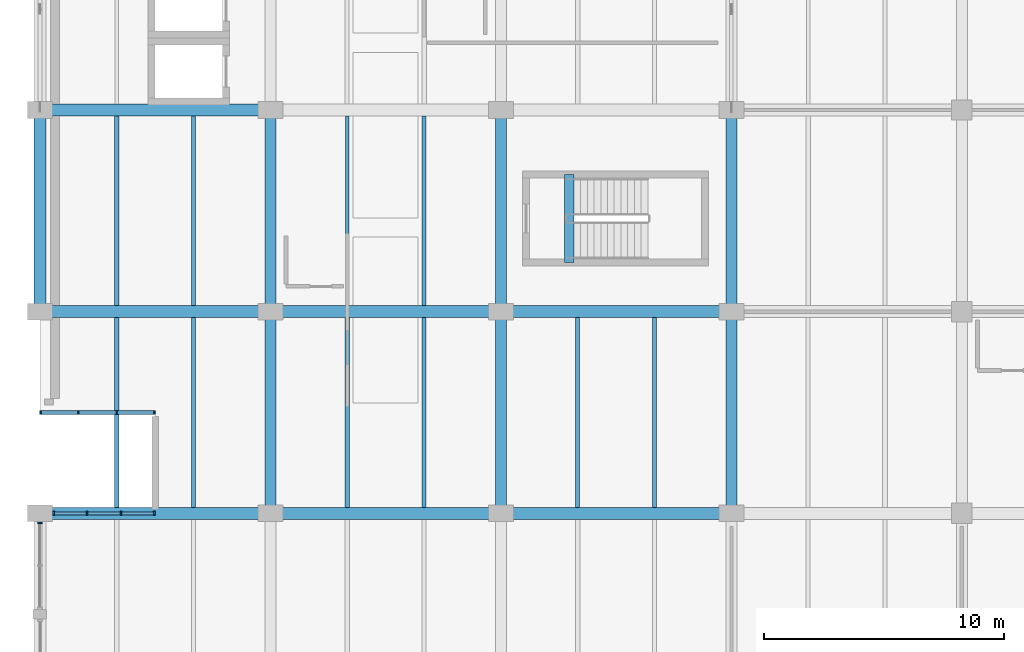
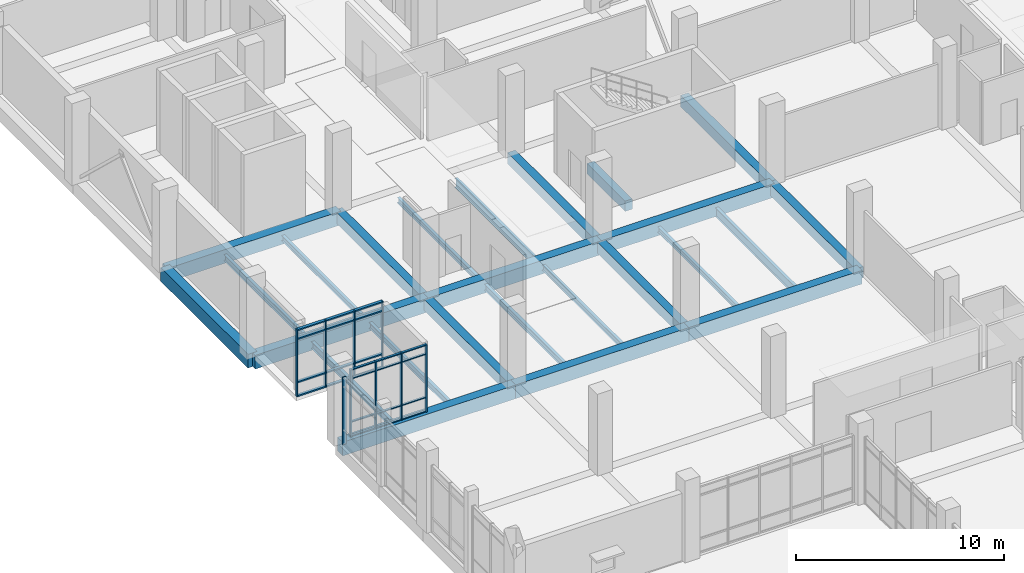
# One storey, part 14 of 152: 33 members, 25 beams, 3 elements without a shape of their own.
"""IFC4 building model written with IfcOpenShell, lengths in metres."""

from ifc_helpers import new_model, si_unit, direction, frame, origin, origin_2d, place, context, subcontext, project, spatial, rectangle, i_section, extrude, material, material_profile, profile_set, type_object, element, aggregate, save


model = new_model("IFC4")

# Units and contexts
model_context = context("Model", 3, precision=1e-05, world=origin(), true_north=direction((0.0, 1.0)))
body_context = subcontext(model_context, "Body", "Model", "MODEL_VIEW")
ifc_project = project(units=[si_unit("LENGTHUNIT", "METRE"), si_unit("AREAUNIT", "SQUARE_METRE"), si_unit("VOLUMEUNIT", "CUBIC_METRE"), si_unit("PLANEANGLEUNIT", "RADIAN"), si_unit("MASSUNIT", "GRAM", prefix="KILO")], contexts=[model_context])

# Site, building, storey
site_placement = place(None, origin())
site = spatial("IfcSite", under=ifc_project, at=site_placement, CompositionType="ELEMENT")
building_placement = place(site_placement, origin())
building = spatial("IfcBuilding", under=site, at=building_placement, Name="Oolite Switchyard Hospital", CompositionType="ELEMENT")
storey_placement = place(building_placement, frame((0.0, 0.0, 5.10009765625)))
storey = spatial("IfcBuildingStorey", under=building, at=storey_placement, Name="L01", CompositionType="ELEMENT", Elevation=5.10009765625)

# Beams
ifc_material_1 = material(Name="Concrete C40/50", Category="concrete")
ifc_material_profile_1 = material_profile(ifc_material_1, rectangle(XDim=0.39990234375, YDim=0.60009765625, at=origin_2d()), Name="RCB400X600")
ifc_profile_set_1 = profile_set([ifc_material_profile_1], Name="Concrete C40/50")
beam_type_1 = type_object("IfcBeamType", Name="BM-RC400X600", PredefinedType="BEAM", material=ifc_profile_set_1)
beam_1_placement = place(storey_placement, frame((22.0400390625, 44.050048828125, -0.300048828125), z_axis=(0.0, 1.0, 0.0), x_axis=(-1.0, 0.0, 0.0)))
element("IfcBeam", 1, at=beam_1_placement, inside=storey, type_object=beam_type_1, Name="L01 ST-01 Stair Throat Trimmer Beam", PredefinedType="BEAM", context=body_context, shape_type="SweptSolid", body=[
    extrude(rectangle(XDim=0.39990234375, YDim=0.60009765625, at=origin_2d()), origin(), (0.0, 0.0, 1.0), 3.659912109375),
])
ifc_material_profile_2 = material_profile(ifc_material_1, rectangle(XDim=0.449951171875, YDim=0.64990234375, at=origin_2d()), Name="RCB450X650")
ifc_profile_set_2 = profile_set([ifc_material_profile_2], Name="Concrete C40/50")
beam_type_2 = type_object("IfcBeamType", Name="BM-RC450X650", PredefinedType="BEAM", material=ifc_profile_set_2)
for number, where, z_axis, x_axis, name in (
    (2, (9.60009765625, 33.60009765625, -0.3251953125), (0.0, 1.0, 0.0), (-1.0, 0.0, 0.0), "L01 Y-Girder 306"),
    (3, (9.60009765625, 42.0, -0.3251953125), (0.0, 1.0, 0.0), (-1.0, 0.0, 0.0), "L01 Y-Girder 307"),
    (4, (19.199951171875, 33.60009765625, -0.3251953125), (0.0, 1.0, 0.0), (-1.0, 0.0, 0.0), "L01 Y-Girder 322"),
    (5, (19.199951171875, 42.0, -0.3251953125), (0.0, 1.0, 0.0), (-1.0, 0.0, 0.0), "L01 Y-Girder 323"),
    (6, (28.800048828125, 33.60009765625, -0.3251953125), (0.0, 1.0, 0.0), (-1.0, 0.0, 0.0), "L01 Y-Girder 338"),
    (7, (28.800048828125, 42.0, -0.3251953125), (0.0, 1.0, 0.0), (-1.0, 0.0, 0.0), "L01 Y-Girder 339"),
):
    element("IfcBeam", number, at=place(storey_placement, frame(where, z_axis=z_axis, x_axis=x_axis)), inside=storey, type_object=beam_type_2, Name=name, PredefinedType="BEAM", context=body_context, shape_type="SweptSolid", body=[
        extrude(rectangle(XDim=0.449951171875, YDim=0.64990234375, at=origin_2d()), origin(), (0.0, 0.0, 1.0), 8.39990234375),
    ])
ifc_material_profile_3 = material_profile(ifc_material_1, rectangle(XDim=0.5, YDim=0.800048828125, at=origin_2d()), Name="RCB500X800")
ifc_profile_set_3 = profile_set([ifc_material_profile_3], Name="Concrete C40/50")
beam_type_3 = type_object("IfcBeamType", Name="BM-RC500X800", PredefinedType="BEAM", material=ifc_profile_set_3)
beam_2_placement = place(storey_placement, frame((0.0, 33.60009765625, -0.400146484375), z_axis=(1.0, 0.0, 0.0), x_axis=(0.0, 1.0, 0.0)))
element("IfcBeam", 8, at=beam_2_placement, inside=storey, type_object=beam_type_3, Name="L01 X-Girder 62", PredefinedType="BEAM", context=body_context, shape_type="SweptSolid", body=[
    extrude(rectangle(XDim=0.5, YDim=0.800048828125, at=origin_2d()), origin(), (0.0, 0.0, 1.0), 9.60009765625),
])
beam_3_placement = place(storey_placement, frame((9.60009765625, 33.60009765625, -0.400146484375), z_axis=(1.0, 0.0, 0.0), x_axis=(0.0, 1.0, 0.0)))
element("IfcBeam", 9, at=beam_3_placement, inside=storey, type_object=beam_type_3, Name="L01 X-Girder 63", PredefinedType="BEAM", context=body_context, shape_type="SweptSolid", body=[
    extrude(rectangle(XDim=0.5, YDim=0.800048828125, at=origin_2d()), origin(), (0.0, 0.0, 1.0), 9.599853515625),
])
for number, where, z_axis, x_axis, name in (
    (10, (19.199951171875, 33.60009765625, -0.400146484375), (1.0, 0.0, 0.0), (0.0, 1.0, 0.0), "L01 X-Girder 64"),
    (11, (0.0, 42.0, -0.400146484375), (1.0, 0.0, 0.0), (0.0, 1.0, 0.0), "L01 X-Girder 84"),
):
    element("IfcBeam", number, at=place(storey_placement, frame(where, z_axis=z_axis, x_axis=x_axis)), inside=storey, type_object=beam_type_3, Name=name, PredefinedType="BEAM", context=body_context, shape_type="SweptSolid", body=[
        extrude(rectangle(XDim=0.5, YDim=0.800048828125, at=origin_2d()), origin(), (0.0, 0.0, 1.0), 9.60009765625),
    ])
beam_4_placement = place(storey_placement, frame((9.60009765625, 42.0, -0.400146484375), z_axis=(1.0, 0.0, 0.0), x_axis=(0.0, 1.0, 0.0)))
element("IfcBeam", 12, at=beam_4_placement, inside=storey, type_object=beam_type_3, Name="L01 X-Girder 85", PredefinedType="BEAM", context=body_context, shape_type="SweptSolid", body=[
    extrude(rectangle(XDim=0.5, YDim=0.800048828125, at=origin_2d()), origin(), (0.0, 0.0, 1.0), 9.599853515625),
])
for number, where, z_axis, x_axis, name in (
    (13, (19.199951171875, 42.0, -0.400146484375), (1.0, 0.0, 0.0), (0.0, 1.0, 0.0), "L01 X-Girder 86"),
    (14, (0.0, 50.39990234375, -0.400146484375), (1.0, 0.0, 0.0), (0.0, 1.0, 0.0), "L01 X-Girder 96"),
):
    element("IfcBeam", number, at=place(storey_placement, frame(where, z_axis=z_axis, x_axis=x_axis)), inside=storey, type_object=beam_type_3, Name=name, PredefinedType="BEAM", context=body_context, shape_type="SweptSolid", body=[
        extrude(rectangle(XDim=0.5, YDim=0.800048828125, at=origin_2d()), origin(), (0.0, 0.0, 1.0), 9.60009765625),
    ])
beam_5_placement = place(storey_placement, frame((0.0, 42.0, -0.400146484375), z_axis=(0.0, 1.0, 0.0), x_axis=(-1.0, 0.0, 0.0)))
element("IfcBeam", 15, at=beam_5_placement, inside=storey, type_object=beam_type_3, Name="L01 Y-Girder 292", PredefinedType="BEAM", context=body_context, shape_type="SweptSolid", body=[
    extrude(rectangle(XDim=0.5, YDim=0.800048828125, at=origin_2d()), origin(), (0.0, 0.0, 1.0), 8.39990234375),
])
ifc_material_2 = material(Name="Steel ASTM A992 Grade 50", Category="steel")
ifc_material_profile_4 = material_profile(ifc_material_2, i_section(OverallWidth=0.1650390625, OverallDepth=0.31005859375, WebThickness=0.006103515625, FlangeThickness=0.010009765625, at=origin_2d()), Name="W12X26")
ifc_profile_set_4 = profile_set([ifc_material_profile_4], Name="Steel ASTM A992 Grade 50")
beam_type_4 = type_object("IfcBeamType", Name="BM-W12X26", PredefinedType="JOIST", material=ifc_profile_set_4)
for number, where, z_axis, x_axis, name in (
    (16, (6.39990234375, 42.25, -0.43017578125), (0.0, 1.0, 0.0), (-1.0, 0.0, 0.0), "L01 Secondary Steel Joist 573"),
    (17, (16.0, 33.85009765625, -0.43017578125), (0.0, 1.0, 0.0), (-1.0, 0.0, 0.0), "L01 Secondary Steel Joist 599"),
    (18, (12.800048828125, 42.25, -0.43017578125), (0.0, 1.0, 0.0), (-1.0, 0.0, 0.0), "L01 Secondary Steel Joist 600"),
    (19, (22.39990234375, 33.85009765625, -0.43017578125), (0.0, 1.0, 0.0), (-1.0, 0.0, 0.0), "L01 Secondary Steel Joist 630"),
):
    element("IfcBeam", number, at=place(storey_placement, frame(where, z_axis=z_axis, x_axis=x_axis)), inside=storey, type_object=beam_type_4, Name=name, PredefinedType="JOIST", context=body_context, shape_type="SweptSolid", body=[
        extrude(i_section(OverallWidth=0.1650390625, OverallDepth=0.31005859375, WebThickness=0.006103515625, FlangeThickness=0.010009765625, at=origin_2d()), origin(), (0.0, 0.0, 1.0), 7.89990234375),
    ])
ifc_material_profile_5 = material_profile(ifc_material_2, i_section(OverallWidth=0.1708984375, OverallDepth=0.35107421875, WebThickness=0.007080078125, FlangeThickness=0.010009765625, at=origin_2d()), Name="W14X30")
ifc_profile_set_5 = profile_set([ifc_material_profile_5], Name="Steel ASTM A992 Grade 50")
beam_type_5 = type_object("IfcBeamType", Name="BM-W14X30", PredefinedType="JOIST", material=ifc_profile_set_5)
for number, where, z_axis, x_axis, name in (
    (20, (6.39990234375, 33.85009765625, -0.4501953125), (0.0, 1.0, 0.0), (-1.0, 0.0, 0.0), "L01 Secondary Steel Joist 571"),
    (21, (3.199951171875, 42.25, -0.4501953125), (0.0, 1.0, 0.0), (-1.0, 0.0, 0.0), "L01 Secondary Steel Joist 572"),
    (22, (12.800048828125, 33.85009765625, -0.4501953125), (0.0, 1.0, 0.0), (-1.0, 0.0, 0.0), "L01 Secondary Steel Joist 598"),
):
    element("IfcBeam", number, at=place(storey_placement, frame(where, z_axis=z_axis, x_axis=x_axis)), inside=storey, type_object=beam_type_5, Name=name, PredefinedType="JOIST", context=body_context, shape_type="SweptSolid", body=[
        extrude(i_section(OverallWidth=0.1708984375, OverallDepth=0.35107421875, WebThickness=0.007080078125, FlangeThickness=0.010009765625, at=origin_2d()), origin(), (0.0, 0.0, 1.0), 7.89990234375),
    ])
ifc_material_profile_6 = material_profile(ifc_material_2, i_section(OverallWidth=0.177978515625, OverallDepth=0.403076171875, WebThickness=0.008056640625, FlangeThickness=0.010986328125, at=origin_2d()), Name="W16X36")
ifc_profile_set_6 = profile_set([ifc_material_profile_6], Name="Steel ASTM A992 Grade 50")
beam_type_6 = type_object("IfcBeamType", Name="BM-W16X36", PredefinedType="JOIST", material=ifc_profile_set_6)
beam_6_placement = place(storey_placement, frame((3.199951171875, 33.85009765625, -0.47705078125), z_axis=(0.0, 1.0, 0.0), x_axis=(-1.0, 0.0, 0.0)))
element("IfcBeam", 23, at=beam_6_placement, inside=storey, type_object=beam_type_6, Name="L01 Secondary Steel Joist 570", PredefinedType="JOIST", context=body_context, shape_type="SweptSolid", body=[
    extrude(i_section(OverallWidth=0.177978515625, OverallDepth=0.403076171875, WebThickness=0.008056640625, FlangeThickness=0.010986328125, at=origin_2d()), origin(), (0.0, 0.0, 1.0), 7.89990234375),
])
ifc_material_profile_7 = material_profile(ifc_material_2, i_section(OverallWidth=0.166015625, OverallDepth=0.529052734375, WebThickness=0.010009765625, FlangeThickness=0.013916015625, at=origin_2d()), Name="W21X50")
ifc_profile_set_7 = profile_set([ifc_material_profile_7], Name="Steel ASTM A992 Grade 50")
beam_type_7 = type_object("IfcBeamType", Name="BM-W21X50", PredefinedType="JOIST", material=ifc_profile_set_7)
for number, where, z_axis, x_axis, name in (
    (24, (16.0, 42.25, -0.5400390625), (0.0, 1.0, 0.0), (-1.0, 0.0, 0.0), "L01 Secondary Steel Joist 601"),
    (25, (25.60009765625, 33.85009765625, -0.5400390625), (0.0, 1.0, 0.0), (-1.0, 0.0, 0.0), "L01 Secondary Steel Joist 631"),
):
    element("IfcBeam", number, at=place(storey_placement, frame(where, z_axis=z_axis, x_axis=x_axis)), inside=storey, type_object=beam_type_7, Name=name, PredefinedType="JOIST", context=body_context, shape_type="SweptSolid", body=[
        extrude(i_section(OverallWidth=0.166015625, OverallDepth=0.529052734375, WebThickness=0.010009765625, FlangeThickness=0.013916015625, at=origin_2d()), origin(), (0.0, 0.0, 1.0), 7.89990234375),
    ])

# Curtain wall, members
ifc_material_3 = material(Name="Thermally broken aluminum frame with laminated impact glazing", Category="aluminium")
curtain_wall_type = type_object("IfcCurtainWallType", Name="CW-UNIT-84X48", PredefinedType="USERDEFINED", material=ifc_material_3)
curtain_wall_1_placement = place(storey_placement, origin())
curtain_wall_1 = element("IfcCurtainWall", 26, at=curtain_wall_1_placement, inside=storey, type_object=curtain_wall_type, Name="L01 Unitised Curtain Wall 119", ObjectType="UNITISED", PredefinedType="USERDEFINED")
ifc_material_4 = material(Name="Aluminium 6063-T6", Category="aluminium")
ifc_material_profile_8 = material_profile(ifc_material_4, rectangle(XDim=0.159912109375, YDim=0.06005859375, at=origin_2d()), Name="CWM60X160")
ifc_profile_set_8 = profile_set([ifc_material_profile_8], Name="Aluminium 6063-T6")
member_type_1 = type_object("IfcMemberType", Name="CW-MUL-180", PredefinedType="MULLION", material=ifc_profile_set_8)
member_1_placement = place(storey_placement, frame((4.77001953125, 37.800048828125, 0.0), z_axis=(0.0, 0.0, 1.0), x_axis=(0.0, -1.0, 0.0)))
member_1 = element("IfcMember", 27, at=member_1_placement, type_object=member_type_1, Name="CW-07 mullion 1", PredefinedType="MULLION", context=body_context, shape_type="SweptSolid", body=[
    extrude(rectangle(XDim=0.159912109375, YDim=0.06005859375, at=origin_2d()), origin(), (0.0, 0.0, 1.0), 3.93994140625),
])
member_2_placement = place(storey_placement, frame((3.199951171875, 37.800048828125, 0.0), z_axis=(0.0, 0.0, 1.0), x_axis=(0.0, -1.0, 0.0)))
member_2 = element("IfcMember", 28, at=member_2_placement, type_object=member_type_1, Name="CW-07 mullion 2", PredefinedType="MULLION", context=body_context, shape_type="SweptSolid", body=[
    extrude(rectangle(XDim=0.159912109375, YDim=0.06005859375, at=origin_2d()), origin(), (0.0, 0.0, 1.0), 3.93994140625),
])
member_3_placement = place(storey_placement, frame((1.60009765625, 37.800048828125, 0.0), z_axis=(0.0, 0.0, 1.0), x_axis=(0.0, -1.0, 0.0)))
member_3 = element("IfcMember", 29, at=member_3_placement, type_object=member_type_1, Name="CW-07 mullion 3", PredefinedType="MULLION", context=body_context, shape_type="SweptSolid", body=[
    extrude(rectangle(XDim=0.159912109375, YDim=0.06005859375, at=origin_2d()), origin(), (0.0, 0.0, 1.0), 3.93994140625),
])
member_4_placement = place(storey_placement, frame((0.030029296875, 37.800048828125, 0.0), z_axis=(0.0, 0.0, 1.0), x_axis=(0.0, -1.0, 0.0)))
member_4 = element("IfcMember", 30, at=member_4_placement, type_object=member_type_1, Name="CW-07 mullion 4", PredefinedType="MULLION", context=body_context, shape_type="SweptSolid", body=[
    extrude(rectangle(XDim=0.159912109375, YDim=0.06005859375, at=origin_2d()), origin(), (0.0, 0.0, 1.0), 3.93994140625),
])

curtain_wall_2_placement = place(storey_placement, origin())
curtain_wall_2 = element("IfcCurtainWall", 31, at=curtain_wall_2_placement, inside=storey, type_object=curtain_wall_type, Name="L01 Unitised Curtain Wall 108", ObjectType="UNITISED", PredefinedType="USERDEFINED")
ifc_material_profile_9 = material_profile(ifc_material_4, rectangle(XDim=0.179931640625, YDim=0.070068359375, at=origin_2d()), Name="CWM70X180")
ifc_profile_set_9 = profile_set([ifc_material_profile_9], Name="Aluminium 6063-T6")
member_type_2 = type_object("IfcMemberType", Name="CW-MUL-220", PredefinedType="MULLION", material=ifc_profile_set_9)
member_5_placement = place(storey_placement, frame((0.574951171875, 33.60009765625, 0.0), z_axis=(0.0, 0.0, 1.0), x_axis=(0.0, 1.0, 0.0)))
member_5 = element("IfcMember", 32, at=member_5_placement, type_object=member_type_2, Name="CW-07 mullion 1", PredefinedType="MULLION", context=body_context, shape_type="SweptSolid", body=[
    extrude(rectangle(XDim=0.179931640625, YDim=0.070068359375, at=origin_2d()), origin(), (0.0, 0.0, 1.0), 3.93994140625),
])
member_6_placement = place(storey_placement, frame((1.9599609375, 33.60009765625, 0.0), z_axis=(0.0, 0.0, 1.0), x_axis=(0.0, 1.0, 0.0)))
member_6 = element("IfcMember", 33, at=member_6_placement, type_object=member_type_2, Name="CW-07 mullion 2", PredefinedType="MULLION", context=body_context, shape_type="SweptSolid", body=[
    extrude(rectangle(XDim=0.179931640625, YDim=0.070068359375, at=origin_2d()), origin(), (0.0, 0.0, 1.0), 3.93994140625),
])
member_7_placement = place(storey_placement, frame((3.3798828125, 33.60009765625, 0.0), z_axis=(0.0, 0.0, 1.0), x_axis=(0.0, 1.0, 0.0)))
member_7 = element("IfcMember", 34, at=member_7_placement, type_object=member_type_2, Name="CW-07 mullion 3", PredefinedType="MULLION", context=body_context, shape_type="SweptSolid", body=[
    extrude(rectangle(XDim=0.179931640625, YDim=0.070068359375, at=origin_2d()), origin(), (0.0, 0.0, 1.0), 3.93994140625),
])
member_8_placement = place(storey_placement, frame((4.764892578125, 33.60009765625, 0.0), z_axis=(0.0, 0.0, 1.0), x_axis=(0.0, 1.0, 0.0)))
member_8 = element("IfcMember", 35, at=member_8_placement, type_object=member_type_2, Name="CW-07 mullion 4", PredefinedType="MULLION", context=body_context, shape_type="SweptSolid", body=[
    extrude(rectangle(XDim=0.179931640625, YDim=0.070068359375, at=origin_2d()), origin(), (0.0, 0.0, 1.0), 3.93994140625),
])

# Curtain wall, member
curtain_wall_3_placement = place(storey_placement, origin())
curtain_wall_3 = element("IfcCurtainWall", 36, at=curtain_wall_3_placement, inside=storey, type_object=curtain_wall_type, Name="L01 Unitised Curtain Wall 163", ObjectType="UNITISED", PredefinedType="USERDEFINED")
ifc_material_profile_10 = material_profile(ifc_material_4, rectangle(XDim=0.199951171875, YDim=0.074951171875, at=origin_2d()), Name="CWM75X200")
ifc_profile_set_10 = profile_set([ifc_material_profile_10], Name="Aluminium 6063-T6")
member_type_3 = type_object("IfcMemberType", Name="CW-MUL-260", PredefinedType="MULLION", material=ifc_profile_set_10)
member_9_placement = place(storey_placement, frame((0.0, 33.197509765625, 0.0), z_axis=(0.0, 0.0, 1.0), x_axis=(-1.0, 0.0, 0.0)))
member_9 = element("IfcMember", 37, at=member_9_placement, type_object=member_type_3, Name="CW-07 mullion 3", PredefinedType="MULLION", context=body_context, shape_type="SweptSolid", body=[
    extrude(rectangle(XDim=0.199951171875, YDim=0.074951171875, at=origin_2d()), origin(), (0.0, 0.0, 1.0), 3.93994140625),
])
aggregate(curtain_wall_3, [member_9])

# Member
ifc_material_profile_11 = material_profile(ifc_material_4, rectangle(XDim=0.1201171875, YDim=0.06005859375, at=origin_2d()), Name="CWT60X120")
ifc_profile_set_11 = profile_set([ifc_material_profile_11], Name="Aluminium 6063-T6")
member_type_4 = type_object("IfcMemberType", Name="CW-TRN-150", PredefinedType="USERDEFINED", material=ifc_profile_set_11)
member_10_placement = place(storey_placement, frame((0.610107421875, 33.60009765625, 0.02978515625), z_axis=(1.0, 0.0, 0.0), x_axis=(0.0, 1.0, 0.0)))
member_10 = element("IfcMember", 38, at=member_10_placement, type_object=member_type_4, Name="CW-07 transom 1.1", ObjectType="TRANSOM", PredefinedType="USERDEFINED", context=body_context, shape_type="SweptSolid", body=[
    extrude(rectangle(XDim=0.1201171875, YDim=0.06005859375, at=origin_2d()), origin(), (0.0, 0.0, 1.0), 1.31494140625),
])

member_11_placement = place(storey_placement, frame((0.610107421875, 33.60009765625, 0.849853515625), z_axis=(1.0, 0.0, 0.0), x_axis=(0.0, 1.0, 0.0)))
member_11 = element("IfcMember", 39, at=member_11_placement, type_object=member_type_4, Name="CW-07 transom 1.2", ObjectType="TRANSOM", PredefinedType="USERDEFINED", context=body_context, shape_type="SweptSolid", body=[
    extrude(rectangle(XDim=0.1201171875, YDim=0.06005859375, at=origin_2d()), origin(), (0.0, 0.0, 1.0), 1.31494140625),
])

member_12_placement = place(storey_placement, frame((0.610107421875, 33.60009765625, 3.389892578125), z_axis=(1.0, 0.0, 0.0), x_axis=(0.0, 1.0, 0.0)))
member_12 = element("IfcMember", 40, at=member_12_placement, type_object=member_type_4, Name="CW-07 transom 1.3", ObjectType="TRANSOM", PredefinedType="USERDEFINED", context=body_context, shape_type="SweptSolid", body=[
    extrude(rectangle(XDim=0.1201171875, YDim=0.06005859375, at=origin_2d()), origin(), (0.0, 0.0, 1.0), 1.31494140625),
])

member_13_placement = place(storey_placement, frame((0.610107421875, 33.60009765625, 3.909912109375), z_axis=(1.0, 0.0, 0.0), x_axis=(0.0, 1.0, 0.0)))
member_13 = element("IfcMember", 41, at=member_13_placement, type_object=member_type_4, Name="CW-07 transom 1.4", ObjectType="TRANSOM", PredefinedType="USERDEFINED", context=body_context, shape_type="SweptSolid", body=[
    extrude(rectangle(XDim=0.1201171875, YDim=0.06005859375, at=origin_2d()), origin(), (0.0, 0.0, 1.0), 1.31494140625),
])

member_14_placement = place(storey_placement, frame((1.9951171875, 33.60009765625, 0.02978515625), z_axis=(1.0, 0.0, 0.0), x_axis=(0.0, 1.0, 0.0)))
member_14 = element("IfcMember", 42, at=member_14_placement, type_object=member_type_4, Name="CW-07 transom 2.1", ObjectType="TRANSOM", PredefinedType="USERDEFINED", context=body_context, shape_type="SweptSolid", body=[
    extrude(rectangle(XDim=0.1201171875, YDim=0.06005859375, at=origin_2d()), origin(), (0.0, 0.0, 1.0), 1.349853515625),
])

member_15_placement = place(storey_placement, frame((1.9951171875, 33.60009765625, 0.849853515625), z_axis=(1.0, 0.0, 0.0), x_axis=(0.0, 1.0, 0.0)))
member_15 = element("IfcMember", 43, at=member_15_placement, type_object=member_type_4, Name="CW-07 transom 2.2", ObjectType="TRANSOM", PredefinedType="USERDEFINED", context=body_context, shape_type="SweptSolid", body=[
    extrude(rectangle(XDim=0.1201171875, YDim=0.06005859375, at=origin_2d()), origin(), (0.0, 0.0, 1.0), 1.349853515625),
])

member_16_placement = place(storey_placement, frame((1.9951171875, 33.60009765625, 3.389892578125), z_axis=(1.0, 0.0, 0.0), x_axis=(0.0, 1.0, 0.0)))
member_16 = element("IfcMember", 44, at=member_16_placement, type_object=member_type_4, Name="CW-07 transom 2.3", ObjectType="TRANSOM", PredefinedType="USERDEFINED", context=body_context, shape_type="SweptSolid", body=[
    extrude(rectangle(XDim=0.1201171875, YDim=0.06005859375, at=origin_2d()), origin(), (0.0, 0.0, 1.0), 1.349853515625),
])

member_17_placement = place(storey_placement, frame((1.9951171875, 33.60009765625, 3.909912109375), z_axis=(1.0, 0.0, 0.0), x_axis=(0.0, 1.0, 0.0)))
member_17 = element("IfcMember", 45, at=member_17_placement, type_object=member_type_4, Name="CW-07 transom 2.4", ObjectType="TRANSOM", PredefinedType="USERDEFINED", context=body_context, shape_type="SweptSolid", body=[
    extrude(rectangle(XDim=0.1201171875, YDim=0.06005859375, at=origin_2d()), origin(), (0.0, 0.0, 1.0), 1.349853515625),
])

member_18_placement = place(storey_placement, frame((3.4150390625, 33.60009765625, 0.02978515625), z_axis=(1.0, 0.0, 0.0), x_axis=(0.0, 1.0, 0.0)))
member_18 = element("IfcMember", 46, at=member_18_placement, type_object=member_type_4, Name="CW-07 transom 3.1", ObjectType="TRANSOM", PredefinedType="USERDEFINED", context=body_context, shape_type="SweptSolid", body=[
    extrude(rectangle(XDim=0.1201171875, YDim=0.06005859375, at=origin_2d()), origin(), (0.0, 0.0, 1.0), 1.31494140625),
])

member_19_placement = place(storey_placement, frame((3.4150390625, 33.60009765625, 0.849853515625), z_axis=(1.0, 0.0, 0.0), x_axis=(0.0, 1.0, 0.0)))
member_19 = element("IfcMember", 47, at=member_19_placement, type_object=member_type_4, Name="CW-07 transom 3.2", ObjectType="TRANSOM", PredefinedType="USERDEFINED", context=body_context, shape_type="SweptSolid", body=[
    extrude(rectangle(XDim=0.1201171875, YDim=0.06005859375, at=origin_2d()), origin(), (0.0, 0.0, 1.0), 1.31494140625),
])

member_20_placement = place(storey_placement, frame((3.4150390625, 33.60009765625, 3.389892578125), z_axis=(1.0, 0.0, 0.0), x_axis=(0.0, 1.0, 0.0)))
member_20 = element("IfcMember", 48, at=member_20_placement, type_object=member_type_4, Name="CW-07 transom 3.3", ObjectType="TRANSOM", PredefinedType="USERDEFINED", context=body_context, shape_type="SweptSolid", body=[
    extrude(rectangle(XDim=0.1201171875, YDim=0.06005859375, at=origin_2d()), origin(), (0.0, 0.0, 1.0), 1.31494140625),
])

member_21_placement = place(storey_placement, frame((3.4150390625, 33.60009765625, 3.909912109375), z_axis=(1.0, 0.0, 0.0), x_axis=(0.0, 1.0, 0.0)))
member_21 = element("IfcMember", 49, at=member_21_placement, type_object=member_type_4, Name="CW-07 transom 3.4", ObjectType="TRANSOM", PredefinedType="USERDEFINED", context=body_context, shape_type="SweptSolid", body=[
    extrude(rectangle(XDim=0.1201171875, YDim=0.06005859375, at=origin_2d()), origin(), (0.0, 0.0, 1.0), 1.31494140625),
])

aggregate(curtain_wall_2, [member_5, member_6, member_7, member_8, member_10, member_11, member_12, member_13, member_14, member_15, member_16, member_17, member_18, member_19, member_20, member_21])

ifc_material_profile_12 = material_profile(ifc_material_4, rectangle(XDim=0.159912109375, YDim=0.074951171875, at=origin_2d()), Name="CWT75X160")
ifc_profile_set_12 = profile_set([ifc_material_profile_12], Name="Aluminium 6063-T6")
member_type_5 = type_object("IfcMemberType", Name="CW-TRN-180", PredefinedType="USERDEFINED", material=ifc_profile_set_12)
member_22_placement = place(storey_placement, frame((4.739990234375, 37.800048828125, 0.037353515625), z_axis=(-1.0, 0.0, 0.0), x_axis=(0.0, -1.0, 0.0)))
member_22 = element("IfcMember", 50, at=member_22_placement, type_object=member_type_5, Name="CW-07 transom 1.1", ObjectType="TRANSOM", PredefinedType="USERDEFINED", context=body_context, shape_type="SweptSolid", body=[
    extrude(rectangle(XDim=0.159912109375, YDim=0.074951171875, at=origin_2d()), origin(), (0.0, 0.0, 1.0), 1.510009765625),
])

member_23_placement = place(storey_placement, frame((4.739990234375, 37.800048828125, 0.849853515625), z_axis=(-1.0, 0.0, 0.0), x_axis=(0.0, -1.0, 0.0)))
member_23 = element("IfcMember", 51, at=member_23_placement, type_object=member_type_5, Name="CW-07 transom 1.2", ObjectType="TRANSOM", PredefinedType="USERDEFINED", context=body_context, shape_type="SweptSolid", body=[
    extrude(rectangle(XDim=0.159912109375, YDim=0.074951171875, at=origin_2d()), origin(), (0.0, 0.0, 1.0), 1.510009765625),
])

member_24_placement = place(storey_placement, frame((4.739990234375, 37.800048828125, 3.389892578125), z_axis=(-1.0, 0.0, 0.0), x_axis=(0.0, -1.0, 0.0)))
member_24 = element("IfcMember", 52, at=member_24_placement, type_object=member_type_5, Name="CW-07 transom 1.3", ObjectType="TRANSOM", PredefinedType="USERDEFINED", context=body_context, shape_type="SweptSolid", body=[
    extrude(rectangle(XDim=0.159912109375, YDim=0.074951171875, at=origin_2d()), origin(), (0.0, 0.0, 1.0), 1.510009765625),
])

member_25_placement = place(storey_placement, frame((4.739990234375, 37.800048828125, 3.90234375), z_axis=(-1.0, 0.0, 0.0), x_axis=(0.0, -1.0, 0.0)))
member_25 = element("IfcMember", 53, at=member_25_placement, type_object=member_type_5, Name="CW-07 transom 1.4", ObjectType="TRANSOM", PredefinedType="USERDEFINED", context=body_context, shape_type="SweptSolid", body=[
    extrude(rectangle(XDim=0.159912109375, YDim=0.074951171875, at=origin_2d()), origin(), (0.0, 0.0, 1.0), 1.510009765625),
])

member_26_placement = place(storey_placement, frame((3.169921875, 37.800048828125, 0.037353515625), z_axis=(-1.0, 0.0, 0.0), x_axis=(0.0, -1.0, 0.0)))
member_26 = element("IfcMember", 54, at=member_26_placement, type_object=member_type_5, Name="CW-07 transom 2.1", ObjectType="TRANSOM", PredefinedType="USERDEFINED", context=body_context, shape_type="SweptSolid", body=[
    extrude(rectangle(XDim=0.159912109375, YDim=0.074951171875, at=origin_2d()), origin(), (0.0, 0.0, 1.0), 1.5400390625),
])

member_27_placement = place(storey_placement, frame((3.169921875, 37.800048828125, 0.849853515625), z_axis=(-1.0, 0.0, 0.0), x_axis=(0.0, -1.0, 0.0)))
member_27 = element("IfcMember", 55, at=member_27_placement, type_object=member_type_5, Name="CW-07 transom 2.2", ObjectType="TRANSOM", PredefinedType="USERDEFINED", context=body_context, shape_type="SweptSolid", body=[
    extrude(rectangle(XDim=0.159912109375, YDim=0.074951171875, at=origin_2d()), origin(), (0.0, 0.0, 1.0), 1.5400390625),
])

member_28_placement = place(storey_placement, frame((3.169921875, 37.800048828125, 3.389892578125), z_axis=(-1.0, 0.0, 0.0), x_axis=(0.0, -1.0, 0.0)))
member_28 = element("IfcMember", 56, at=member_28_placement, type_object=member_type_5, Name="CW-07 transom 2.3", ObjectType="TRANSOM", PredefinedType="USERDEFINED", context=body_context, shape_type="SweptSolid", body=[
    extrude(rectangle(XDim=0.159912109375, YDim=0.074951171875, at=origin_2d()), origin(), (0.0, 0.0, 1.0), 1.5400390625),
])

member_29_placement = place(storey_placement, frame((3.169921875, 37.800048828125, 3.90234375), z_axis=(-1.0, 0.0, 0.0), x_axis=(0.0, -1.0, 0.0)))
member_29 = element("IfcMember", 57, at=member_29_placement, type_object=member_type_5, Name="CW-07 transom 2.4", ObjectType="TRANSOM", PredefinedType="USERDEFINED", context=body_context, shape_type="SweptSolid", body=[
    extrude(rectangle(XDim=0.159912109375, YDim=0.074951171875, at=origin_2d()), origin(), (0.0, 0.0, 1.0), 1.5400390625),
])

member_30_placement = place(storey_placement, frame((1.570068359375, 37.800048828125, 0.037353515625), z_axis=(-1.0, 0.0, 0.0), x_axis=(0.0, -1.0, 0.0)))
member_30 = element("IfcMember", 58, at=member_30_placement, type_object=member_type_5, Name="CW-07 transom 3.1", ObjectType="TRANSOM", PredefinedType="USERDEFINED", context=body_context, shape_type="SweptSolid", body=[
    extrude(rectangle(XDim=0.159912109375, YDim=0.074951171875, at=origin_2d()), origin(), (0.0, 0.0, 1.0), 1.510009765625),
])

member_31_placement = place(storey_placement, frame((1.570068359375, 37.800048828125, 0.849853515625), z_axis=(-1.0, 0.0, 0.0), x_axis=(0.0, -1.0, 0.0)))
member_31 = element("IfcMember", 59, at=member_31_placement, type_object=member_type_5, Name="CW-07 transom 3.2", ObjectType="TRANSOM", PredefinedType="USERDEFINED", context=body_context, shape_type="SweptSolid", body=[
    extrude(rectangle(XDim=0.159912109375, YDim=0.074951171875, at=origin_2d()), origin(), (0.0, 0.0, 1.0), 1.510009765625),
])

member_32_placement = place(storey_placement, frame((1.570068359375, 37.800048828125, 3.389892578125), z_axis=(-1.0, 0.0, 0.0), x_axis=(0.0, -1.0, 0.0)))
member_32 = element("IfcMember", 60, at=member_32_placement, type_object=member_type_5, Name="CW-07 transom 3.3", ObjectType="TRANSOM", PredefinedType="USERDEFINED", context=body_context, shape_type="SweptSolid", body=[
    extrude(rectangle(XDim=0.159912109375, YDim=0.074951171875, at=origin_2d()), origin(), (0.0, 0.0, 1.0), 1.510009765625),
])

member_33_placement = place(storey_placement, frame((1.570068359375, 37.800048828125, 3.90234375), z_axis=(-1.0, 0.0, 0.0), x_axis=(0.0, -1.0, 0.0)))
member_33 = element("IfcMember", 61, at=member_33_placement, type_object=member_type_5, Name="CW-07 transom 3.4", ObjectType="TRANSOM", PredefinedType="USERDEFINED", context=body_context, shape_type="SweptSolid", body=[
    extrude(rectangle(XDim=0.159912109375, YDim=0.074951171875, at=origin_2d()), origin(), (0.0, 0.0, 1.0), 1.510009765625),
])

aggregate(curtain_wall_1, [member_1, member_2, member_3, member_4, member_22, member_23, member_24, member_25, member_26, member_27, member_28, member_29, member_30, member_31, member_32, member_33])

save(model, "model.ifc")
